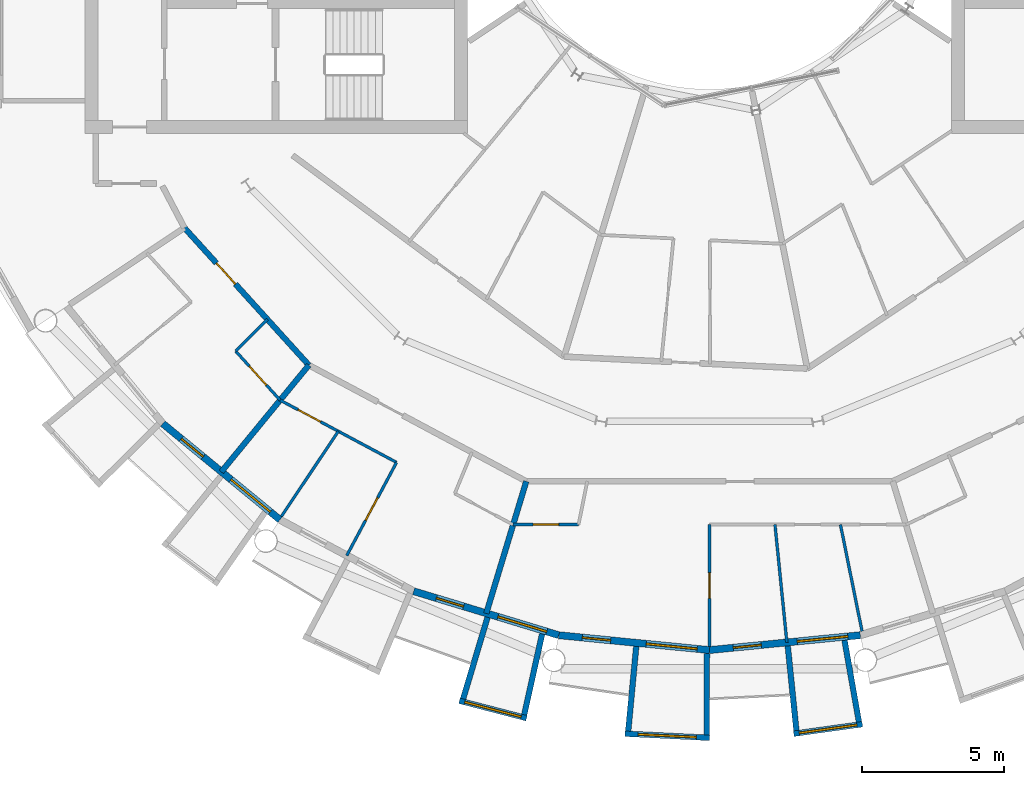
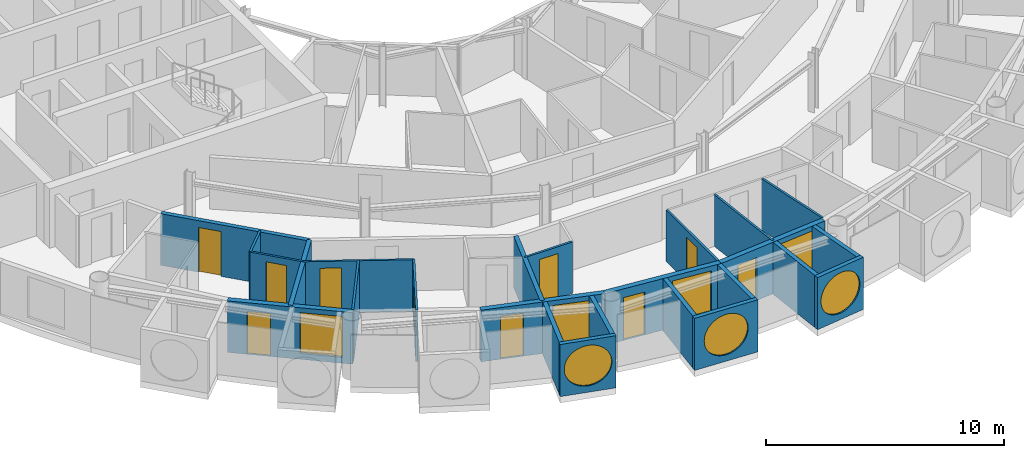
# One storey, part 15 of 28: 25 walls, 10 doors, 7 windows, 17 openings.
"""IFC4 building model written with IfcOpenShell, lengths in metres."""

from ifc_helpers import new_model, si_unit, direction, frame, frame_2d, origin, place, context, subcontext, project, spatial, rectangle, circle, extrude, material, layer, layer_set, type_object, element, fill, save


model = new_model("IFC4")

# Units and contexts
model_context = context("Model", 3, precision=1e-05, world=origin(), true_north=direction((0.0, 1.0)))
body_context = subcontext(model_context, "Body", "Model", "MODEL_VIEW")
ifc_project = project(units=[si_unit("LENGTHUNIT", "METRE"), si_unit("AREAUNIT", "SQUARE_METRE"), si_unit("VOLUMEUNIT", "CUBIC_METRE"), si_unit("PLANEANGLEUNIT", "RADIAN"), si_unit("MASSUNIT", "GRAM", prefix="KILO")], contexts=[model_context])

# Site, building, storey
site_placement = place(None, origin())
site = spatial("IfcSite", under=ifc_project, at=site_placement, CompositionType="ELEMENT")
building_placement = place(site_placement, origin())
building = spatial("IfcBuilding", under=site, at=building_placement, Name="Maasbend Ring Residences", CompositionType="ELEMENT")
storey_placement = place(building_placement, frame((0.0, 0.0, 218.800048828125)))
storey = spatial("IfcBuildingStorey", under=building, at=storey_placement, Name="L63", CompositionType="ELEMENT", Elevation=218.800048828125)

# Wall, opening, door
ifc_material_1 = material(Name="Concrete C30/37", Category="concrete")
ifc_layer_1 = layer(ifc_material_1, 0.199951171875)
ifc_layer_set_1 = layer_set([ifc_layer_1], Name="Concrete C30/37")
wall_type_1 = type_object("IfcWallType", Name="CORRIDOR WALL 200 CONCRETE", PredefinedType="PARTITIONING", material=ifc_layer_set_1)
wall_1_placement = place(storey_placement, frame((-18.5419921875, -12.388916015625, 0.0), z_axis=(0.0, 0.0, 1.0), x_axis=(0.671561669125, -0.740948665268, 0.0)))
wall_1 = element("IfcWall", 1, at=wall_1_placement, inside=storey, type_object=wall_type_1, Name="U-L63-w013", PredefinedType="PARTITIONING", context=body_context, shape_type="SweptSolid", body=[
    extrude(rectangle(XDim=6.54443359375, YDim=0.199951171875, at=frame_2d((3.272216796875, 0.0))), origin(), (0.0, 0.0, 1.0), 2.64990234375),
])
opening_1_placement = place(wall_1_placement, frame((1.681884765625, 0.0, 0.0)))
opening_1 = element("IfcOpeningElement", 2, at=opening_1_placement, cuts=wall_1, Name="Opening D-6328", PredefinedType="OPENING", context=body_context, shape_type="SweptSolid", body=[
    extrude(rectangle(XDim=1.0, YDim=2.300048828125, at=frame_2d((0.5, 1.14990234375))), frame((0.0, 0.10986328125, 0.0), z_axis=(0.0, -1.0, 0.0), x_axis=(1.0, 0.0, 0.0)), (0.0, 0.0, 1.0), 0.219970703125),
])
ifc_material_2 = material(Name="Timber, fire-rated, painted", Category="wood")
door_type_1 = type_object("IfcDoorType", Name="FLAT ENTRANCE DOOR 1000 X 2300 FIRE-RATED", OperationType="NOTDEFINED", PredefinedType="DOOR", material=ifc_material_2)
door_1_placement = place(opening_1_placement, origin())
door_1 = element("IfcDoor", 3, at=door_1_placement, inside=storey, type_object=door_type_1, Name="D-6328", OperationType="SINGLE_SWING_LEFT", OverallHeight=2.300048828125, OverallWidth=1.0, PredefinedType="DOOR", context=body_context, shape_type="SweptSolid", body=[
    extrude(rectangle(XDim=1.0, YDim=2.300048828125, at=frame_2d((0.5, 1.14990234375))), frame((0.0, 0.02490234375, 0.0), z_axis=(0.0, -1.0, 0.0), x_axis=(1.0, 0.0, 0.0)), (0.0, 0.0, 1.0), 0.050048828125),
])
fill(opening_1, door_1)

# Wall, opening, window
ifc_material_3 = material(Name="Pale anodised aluminium panel", Category="aluminium")
ifc_layer_2 = layer(ifc_material_3, 0.199951171875)
ifc_layer_set_2 = layer_set([ifc_layer_2], Name="EW-BOX")
wall_type_2 = type_object("IfcWallType", Name="EW-BOX", PredefinedType="SOLIDWALL", material=ifc_layer_set_2)
wall_2_placement = place(storey_placement, frame((-8.8291015625, -29.090087890625, -0.030029296875), z_axis=(0.0, 0.0, 1.0), x_axis=(0.96789536872, -0.251353446784, 0.0)))
wall_2 = element("IfcWall", 4, at=wall_2_placement, inside=storey, type_object=wall_type_2, Name="Box front S08", PredefinedType="SOLIDWALL", context=body_context, shape_type="SweptSolid", body=[
    extrude(rectangle(XDim=2.44677734375, YDim=0.199951171875, at=frame_2d((1.223388671875, 0.0))), origin(), (0.0, 0.0, 1.0), 2.679931640625),
])
opening_2_placement = place(wall_2_placement, frame((0.182861328125, 0.0, 0.330078125)))
opening_2 = element("IfcOpeningElement", 5, at=opening_2_placement, cuts=wall_2, Name="Opening W-RD", PredefinedType="OPENING", context=body_context, shape_type="SweptSolid", body=[
    extrude(circle(Radius=1.0400390625, at=frame_2d((1.0400390625, 1.0400390625))), frame((0.0, 0.10986328125, 0.0), z_axis=(0.0, -1.0, 0.0), x_axis=(1.0, 0.0, 0.0)), (0.0, 0.0, 1.0), 0.219970703125),
])
ifc_material_4 = material(Name="Aluminium and clear glass", Category="aluminium")
window_type_1 = type_object("IfcWindowType", Name="W-RD", PartitioningType="SINGLE_PANEL", PredefinedType="WINDOW", material=ifc_material_4)
window_1_placement = place(opening_2_placement, origin())
window_1 = element("IfcWindow", 6, at=window_1_placement, inside=storey, type_object=window_type_1, Name="Round window S08", OverallHeight=2.080078125, OverallWidth=2.080078125, PartitioningType="SINGLE_PANEL", PredefinedType="WINDOW", context=body_context, shape_type="SweptSolid", body=[
    extrude(circle(Radius=1.0400390625, at=frame_2d((1.0400390625, 1.0400390625))), frame((0.0, 0.030029296875, 0.0), z_axis=(0.0, -1.0, 0.0), x_axis=(1.0, 0.0, 0.0)), (0.0, 0.0, 1.0), 0.06005859375),
])
fill(opening_2, window_1)

# Walls
wall_3_placement = place(storey_placement, frame((-7.8369140625, -26.14404296875, -0.030029296875), z_axis=(0.0, 0.0, 1.0), x_axis=(-0.287064767992, -0.957911174889, 0.0)))
element("IfcWall", 7, at=wall_3_placement, inside=storey, type_object=wall_type_2, Name="Box side wall S08 left", PredefinedType="SOLIDWALL", context=body_context, shape_type="SweptSolid", body=[
    extrude(rectangle(XDim=3.00634765625, YDim=0.199951171875, at=frame_2d((1.503173828125, 0.0))), origin(), (0.0, 0.0, 1.0), 2.679931640625),
])
wall_4_placement = place(storey_placement, frame((-5.908935546875, -26.72900390625, -0.030029296875), z_axis=(0.0, 0.0, 1.0), x_axis=(-0.216409053917, -0.976302781612, 0.0)))
element("IfcWall", 8, at=wall_4_placement, inside=storey, type_object=wall_type_2, Name="Box side wall S08 right", PredefinedType="SOLIDWALL", context=body_context, shape_type="SweptSolid", body=[
    extrude(rectangle(XDim=2.92529296875, YDim=0.199951171875, at=frame_2d((1.462646484375, 0.0))), origin(), (0.0, 0.0, 1.0), 2.679931640625),
])

# Wall, opening, window
wall_5_placement = place(storey_placement, frame((-2.985107421875, -30.2529296875, -0.030029296875), z_axis=(0.0, 0.0, 1.0), x_axis=(0.998794083011, -0.049095618353, 0.0)))
wall_5 = element("IfcWall", 9, at=wall_5_placement, inside=storey, type_object=wall_type_2, Name="Box front S10", PredefinedType="SOLIDWALL", context=body_context, shape_type="SweptSolid", body=[
    extrude(rectangle(XDim=2.99365234375, YDim=0.199951171875, at=frame_2d((1.496826171875, 0.0))), origin(), (0.0, 0.0, 1.0), 2.679931640625),
])
opening_3_placement = place(wall_5_placement, frame((0.45654296875, 0.0, 0.330078125)))
opening_3 = element("IfcOpeningElement", 10, at=opening_3_placement, cuts=wall_5, Name="Opening W-RD", PredefinedType="OPENING", context=body_context, shape_type="SweptSolid", body=[
    extrude(circle(Radius=1.0400390625, at=frame_2d((1.0400390625, 1.0400390625))), frame((0.0, 0.10986328125, 0.0), z_axis=(0.0, -1.0, 0.0), x_axis=(1.0, 0.0, 0.0)), (0.0, 0.0, 1.0), 0.219970703125),
])
window_2_placement = place(opening_3_placement, origin())
window_2 = element("IfcWindow", 11, at=window_2_placement, inside=storey, type_object=window_type_1, Name="Round window S10", OverallHeight=2.080078125, OverallWidth=2.080078125, PartitioningType="SINGLE_PANEL", PredefinedType="WINDOW", context=body_context, shape_type="SweptSolid", body=[
    extrude(circle(Radius=1.0400390625, at=frame_2d((1.0400390625, 1.0400390625))), frame((0.0, 0.030029296875, 0.0), z_axis=(0.0, -1.0, 0.0), x_axis=(1.0, 0.0, 0.0)), (0.0, 0.0, 1.0), 0.06005859375),
])
fill(opening_3, window_2)

# Walls
wall_6_placement = place(storey_placement, frame((-2.5859375, -27.1708984375, -0.030029296875), z_axis=(0.0, 0.0, 1.0), x_axis=(-0.094548432284, -0.995520262954, 0.0)))
element("IfcWall", 12, at=wall_6_placement, inside=storey, type_object=wall_type_2, Name="Box side wall S10 left", PredefinedType="SOLIDWALL", context=body_context, shape_type="SweptSolid", body=[
    extrude(rectangle(XDim=3.005615234375, YDim=0.199951171875, at=frame_2d((1.5029296875, 0.0))), origin(), (0.0, 0.0, 1.0), 2.679931640625),
])
wall_7_placement = place(storey_placement, frame((-0.090087890625, -27.4169921875, -0.030029296875), z_axis=(0.0, 0.0, 1.0), x_axis=(-0.00347308367, -0.999993968827, 0.0)))
element("IfcWall", 13, at=wall_7_placement, inside=storey, type_object=wall_type_2, Name="Box side wall S10 right", PredefinedType="SOLIDWALL", context=body_context, shape_type="SweptSolid", body=[
    extrude(rectangle(XDim=2.882080078125, YDim=0.199951171875, at=frame_2d((1.44091796875, 0.0))), origin(), (0.0, 0.0, 1.0), 2.679931640625),
])

# Wall, opening, window
wall_8_placement = place(storey_placement, frame((2.97607421875, -30.25390625, -0.030029296875), z_axis=(0.0, 0.0, 1.0), x_axis=(0.990462016113, 0.137786046596, 0.0)))
wall_8 = element("IfcWall", 14, at=wall_8_placement, inside=storey, type_object=wall_type_2, Name="Box front S12", PredefinedType="SOLIDWALL", context=body_context, shape_type="SweptSolid", body=[
    extrude(rectangle(XDim=2.4453125, YDim=0.199951171875, at=frame_2d((1.22265625, 0.0))), origin(), (0.0, 0.0, 1.0), 2.679931640625),
])
opening_4_placement = place(wall_8_placement, frame((0.182861328125, 0.0, 0.330078125)))
opening_4 = element("IfcOpeningElement", 15, at=opening_4_placement, cuts=wall_8, Name="Opening W-RD", PredefinedType="OPENING", context=body_context, shape_type="SweptSolid", body=[
    extrude(circle(Radius=1.0400390625, at=frame_2d((1.0400390625, 1.0400390625))), frame((0.0, 0.10986328125, 0.0), z_axis=(0.0, -1.0, 0.0), x_axis=(1.0, 0.0, 0.0)), (0.0, 0.0, 1.0), 0.219970703125),
])
window_3_placement = place(opening_4_placement, origin())
window_3 = element("IfcWindow", 16, at=window_3_placement, inside=storey, type_object=window_type_1, Name="Round window S12", OverallHeight=2.080078125, OverallWidth=2.080078125, PartitioningType="SINGLE_PANEL", PredefinedType="WINDOW", context=body_context, shape_type="SweptSolid", body=[
    extrude(circle(Radius=1.0400390625, at=frame_2d((1.0400390625, 1.0400390625))), frame((0.0, 0.030029296875, 0.0), z_axis=(0.0, -1.0, 0.0), x_axis=(1.0, 0.0, 0.0)), (0.0, 0.0, 1.0), 0.06005859375),
])
fill(opening_4, window_3)

# Walls
wall_9_placement = place(storey_placement, frame((2.763916015625, -27.153076171875, -0.030029296875), z_axis=(0.0, 0.0, 1.0), x_axis=(0.101505487237, -0.994834979311, 0.0)))
element("IfcWall", 17, at=wall_9_placement, inside=storey, type_object=wall_type_2, Name="Box side wall S12 left", PredefinedType="SOLIDWALL", context=body_context, shape_type="SweptSolid", body=[
    extrude(rectangle(XDim=3.006591796875, YDim=0.199951171875, at=frame_2d((1.50341796875, 0.0))), origin(), (0.0, 0.0, 1.0), 2.679931640625),
])
wall_10_placement = place(storey_placement, frame((4.76904296875, -26.9560546875, -0.030029296875), z_axis=(0.0, 0.0, 1.0), x_axis=(0.174056778901, -0.984735618183, 0.0)))
element("IfcWall", 18, at=wall_10_placement, inside=storey, type_object=wall_type_2, Name="Box side wall S12 right", PredefinedType="SOLIDWALL", context=body_context, shape_type="SweptSolid", body=[
    extrude(rectangle(XDim=2.924560546875, YDim=0.199951171875, at=frame_2d((1.46240234375, 0.0))), origin(), (0.0, 0.0, 1.0), 2.679931640625),
])

# Wall, openings, door, window
ifc_material_5 = material(Name="Aluminium clad insulated panel", Category="aluminium")
ifc_layer_3 = layer(ifc_material_5, 0.25)
ifc_layer_set_3 = layer_set([ifc_layer_3], Name="EW-GL")
wall_type_3 = type_object("IfcWallType", Name="EW-GL", PredefinedType="SOLIDWALL", material=ifc_layer_set_3)
wall_11_placement = place(storey_placement, frame((-19.303955078125, -19.303955078125, 0.0), z_axis=(0.0, 0.0, 1.0), x_axis=(0.773019449054, -0.634382322723, 0.0)))
wall_11 = element("IfcWall", 19, at=wall_11_placement, inside=storey, type_object=wall_type_3, Name="External wall S02", PredefinedType="SOLIDWALL", context=body_context, shape_type="SweptSolid", body=[
    extrude(rectangle(XDim=5.351806640625, YDim=0.25, at=frame_2d((2.67578125, 0.0))), origin(), (0.0, 0.0, 1.0), 2.64990234375),
])
opening_5_placement = place(wall_11_placement, frame((0.841064453125, 0.0, 0.0)))
opening_5 = element("IfcOpeningElement", 20, at=opening_5_placement, cuts=wall_11, Name="Opening D-LG", PredefinedType="OPENING", context=body_context, shape_type="SweptSolid", body=[
    extrude(rectangle(XDim=1.0, YDim=2.199951171875, at=frame_2d((0.5, 1.10009765625))), frame((0.0, 0.135009765625, 0.0), z_axis=(0.0, -1.0, 0.0), x_axis=(1.0, 0.0, 0.0)), (0.0, 0.0, 1.0), 0.27001953125),
])
opening_6_placement = place(wall_11_placement, frame((3.110595703125, 0.0, 0.300048828125)))
opening_6 = element("IfcOpeningElement", 21, at=opening_6_placement, cuts=wall_11, Name="Opening W-BX", PredefinedType="OPENING", context=body_context, shape_type="SweptSolid", body=[
    extrude(rectangle(XDim=1.800048828125, YDim=2.10009765625, at=frame_2d((0.89990234375, 1.050048828125))), frame((0.0, 0.135009765625, 0.0), z_axis=(0.0, -1.0, 0.0), x_axis=(1.0, 0.0, 0.0)), (0.0, 0.0, 1.0), 0.27001953125),
])
ifc_material_6 = material(Name="Aluminium and clear glass", Category="aluminium")
door_type_2 = type_object("IfcDoorType", Name="D-LG", OperationType="SINGLE_SWING_LEFT", PredefinedType="DOOR", material=ifc_material_6)
door_2_placement = place(opening_5_placement, origin())
door_2 = element("IfcDoor", 22, at=door_2_placement, inside=storey, type_object=door_type_2, Name="Loggia door S03", OperationType="SINGLE_SWING_LEFT", OverallHeight=2.199951171875, OverallWidth=1.0, PredefinedType="DOOR", context=body_context, shape_type="SweptSolid", body=[
    extrude(rectangle(XDim=1.0, YDim=2.199951171875, at=frame_2d((0.5, 1.10009765625))), frame((0.0, 0.02490234375, 0.0), z_axis=(0.0, -1.0, 0.0), x_axis=(1.0, 0.0, 0.0)), (0.0, 0.0, 1.0), 0.050048828125),
])
fill(opening_5, door_2)
ifc_material_7 = material(Name="Aluminium and clear glass", Category="aluminium")
window_type_2 = type_object("IfcWindowType", Name="W-BX", PartitioningType="DOUBLE_PANEL_VERTICAL", PredefinedType="WINDOW", material=ifc_material_7)
window_4_placement = place(opening_6_placement, origin())
window_4 = element("IfcWindow", 23, at=window_4_placement, inside=storey, type_object=window_type_2, Name="Window S04 room to box", OverallHeight=2.10009765625, OverallWidth=1.800048828125, PartitioningType="SINGLE_PANEL", PredefinedType="WINDOW", context=body_context, shape_type="SweptSolid", body=[
    extrude(rectangle(XDim=1.800048828125, YDim=2.10009765625, at=frame_2d((0.89990234375, 1.050048828125))), frame((0.0, 0.030029296875, 0.0), z_axis=(0.0, -1.0, 0.0), x_axis=(1.0, 0.0, 0.0)), (0.0, 0.0, 1.0), 0.06005859375),
])
fill(opening_6, window_4)

wall_12_placement = place(storey_placement, frame((-10.447021484375, -25.221923828125, 0.0), z_axis=(0.0, 0.0, 1.0), x_axis=(0.956965678721, -0.290201119486, 0.0)))
wall_12 = element("IfcWall", 24, at=wall_12_placement, inside=storey, type_object=wall_type_3, Name="External wall S04", PredefinedType="SOLIDWALL", context=body_context, shape_type="SweptSolid", body=[
    extrude(rectangle(XDim=5.351318359375, YDim=0.25, at=frame_2d((2.67578125, 0.0))), origin(), (0.0, 0.0, 1.0), 2.64990234375),
])
opening_7_placement = place(wall_12_placement, frame((0.841064453125, 0.0, 0.0)))
opening_7 = element("IfcOpeningElement", 25, at=opening_7_placement, cuts=wall_12, Name="Opening D-LG", PredefinedType="OPENING", context=body_context, shape_type="SweptSolid", body=[
    extrude(rectangle(XDim=1.0, YDim=2.199951171875, at=frame_2d((0.5, 1.10009765625))), frame((0.0, 0.135009765625, 0.0), z_axis=(0.0, -1.0, 0.0), x_axis=(1.0, 0.0, 0.0)), (0.0, 0.0, 1.0), 0.27001953125),
])
opening_8_placement = place(wall_12_placement, frame((3.110595703125, 0.0, 0.300048828125)))
opening_8 = element("IfcOpeningElement", 26, at=opening_8_placement, cuts=wall_12, Name="Opening W-BX", PredefinedType="OPENING", context=body_context, shape_type="SweptSolid", body=[
    extrude(rectangle(XDim=1.800048828125, YDim=2.10009765625, at=frame_2d((0.89990234375, 1.050048828125))), frame((0.0, 0.135009765625, 0.0), z_axis=(0.0, -1.0, 0.0), x_axis=(1.0, 0.0, 0.0)), (0.0, 0.0, 1.0), 0.27001953125),
])
door_3_placement = place(opening_7_placement, origin())
door_3 = element("IfcDoor", 27, at=door_3_placement, inside=storey, type_object=door_type_2, Name="Loggia door S07", OperationType="SINGLE_SWING_LEFT", OverallHeight=2.199951171875, OverallWidth=1.0, PredefinedType="DOOR", context=body_context, shape_type="SweptSolid", body=[
    extrude(rectangle(XDim=1.0, YDim=2.199951171875, at=frame_2d((0.5, 1.10009765625))), frame((0.0, 0.02490234375, 0.0), z_axis=(0.0, -1.0, 0.0), x_axis=(1.0, 0.0, 0.0)), (0.0, 0.0, 1.0), 0.050048828125),
])
fill(opening_7, door_3)
window_5_placement = place(opening_8_placement, origin())
window_5 = element("IfcWindow", 28, at=window_5_placement, inside=storey, type_object=window_type_2, Name="Window S08 room to box", OverallHeight=2.10009765625, OverallWidth=1.800048828125, PartitioningType="SINGLE_PANEL", PredefinedType="WINDOW", context=body_context, shape_type="SweptSolid", body=[
    extrude(rectangle(XDim=1.800048828125, YDim=2.10009765625, at=frame_2d((0.89990234375, 1.050048828125))), frame((0.0, 0.030029296875, 0.0), z_axis=(0.0, -1.0, 0.0), x_axis=(1.0, 0.0, 0.0)), (0.0, 0.0, 1.0), 0.06005859375),
])
fill(opening_8, window_5)

wall_13_placement = place(storey_placement, frame((-5.325927734375, -26.77490234375, 0.0), z_axis=(0.0, 0.0, 1.0), x_axis=(0.995173996315, -0.098126026407, 0.0)))
wall_13 = element("IfcWall", 29, at=wall_13_placement, inside=storey, type_object=wall_type_3, Name="External wall S05", PredefinedType="SOLIDWALL", context=body_context, shape_type="SweptSolid", body=[
    extrude(rectangle(XDim=5.351806640625, YDim=0.25, at=frame_2d((2.67578125, 0.0))), origin(), (0.0, 0.0, 1.0), 2.64990234375),
])
opening_9_placement = place(wall_13_placement, frame((0.841064453125, 0.0, 0.0)))
opening_9 = element("IfcOpeningElement", 30, at=opening_9_placement, cuts=wall_13, Name="Opening D-LG", PredefinedType="OPENING", context=body_context, shape_type="SweptSolid", body=[
    extrude(rectangle(XDim=1.0, YDim=2.199951171875, at=frame_2d((0.5, 1.10009765625))), frame((0.0, 0.135009765625, 0.0), z_axis=(0.0, -1.0, 0.0), x_axis=(1.0, 0.0, 0.0)), (0.0, 0.0, 1.0), 0.27001953125),
])
opening_10_placement = place(wall_13_placement, frame((3.110595703125, 0.0, 0.300048828125)))
opening_10 = element("IfcOpeningElement", 31, at=opening_10_placement, cuts=wall_13, Name="Opening W-BX", PredefinedType="OPENING", context=body_context, shape_type="SweptSolid", body=[
    extrude(rectangle(XDim=1.800048828125, YDim=2.10009765625, at=frame_2d((0.89990234375, 1.050048828125))), frame((0.0, 0.135009765625, 0.0), z_axis=(0.0, -1.0, 0.0), x_axis=(1.0, 0.0, 0.0)), (0.0, 0.0, 1.0), 0.27001953125),
])
door_4_placement = place(opening_9_placement, origin())
door_4 = element("IfcDoor", 32, at=door_4_placement, inside=storey, type_object=door_type_2, Name="Loggia door S09", OperationType="SINGLE_SWING_LEFT", OverallHeight=2.199951171875, OverallWidth=1.0, PredefinedType="DOOR", context=body_context, shape_type="SweptSolid", body=[
    extrude(rectangle(XDim=1.0, YDim=2.199951171875, at=frame_2d((0.5, 1.10009765625))), frame((0.0, 0.02490234375, 0.0), z_axis=(0.0, -1.0, 0.0), x_axis=(1.0, 0.0, 0.0)), (0.0, 0.0, 1.0), 0.050048828125),
])
fill(opening_9, door_4)
window_6_placement = place(opening_10_placement, origin())
window_6 = element("IfcWindow", 33, at=window_6_placement, inside=storey, type_object=window_type_2, Name="Window S10 room to box", OverallHeight=2.10009765625, OverallWidth=1.800048828125, PartitioningType="SINGLE_PANEL", PredefinedType="WINDOW", context=body_context, shape_type="SweptSolid", body=[
    extrude(rectangle(XDim=1.800048828125, YDim=2.10009765625, at=frame_2d((0.89990234375, 1.050048828125))), frame((0.0, 0.030029296875, 0.0), z_axis=(0.0, -1.0, 0.0), x_axis=(1.0, 0.0, 0.0)), (0.0, 0.0, 1.0), 0.06005859375),
])
fill(opening_10, window_6)

wall_14_placement = place(storey_placement, frame((0.0, -27.300048828125, 0.0), z_axis=(0.0, 0.0, 1.0), x_axis=(0.995173996315, 0.098126026407, 0.0)))
wall_14 = element("IfcWall", 34, at=wall_14_placement, inside=storey, type_object=wall_type_3, Name="External wall S06", PredefinedType="SOLIDWALL", context=body_context, shape_type="SweptSolid", body=[
    extrude(rectangle(XDim=5.351806640625, YDim=0.25, at=frame_2d((2.67578125, 0.0))), origin(), (0.0, 0.0, 1.0), 2.64990234375),
])
opening_11_placement = place(wall_14_placement, frame((0.841064453125, 0.0, 0.0)))
opening_11 = element("IfcOpeningElement", 35, at=opening_11_placement, cuts=wall_14, Name="Opening D-LG", PredefinedType="OPENING", context=body_context, shape_type="SweptSolid", body=[
    extrude(rectangle(XDim=1.0, YDim=2.199951171875, at=frame_2d((0.5, 1.10009765625))), frame((0.0, 0.135009765625, 0.0), z_axis=(0.0, -1.0, 0.0), x_axis=(1.0, 0.0, 0.0)), (0.0, 0.0, 1.0), 0.27001953125),
])
opening_12_placement = place(wall_14_placement, frame((3.110595703125, 0.0, 0.300048828125)))
opening_12 = element("IfcOpeningElement", 36, at=opening_12_placement, cuts=wall_14, Name="Opening W-BX", PredefinedType="OPENING", context=body_context, shape_type="SweptSolid", body=[
    extrude(rectangle(XDim=1.800048828125, YDim=2.10009765625, at=frame_2d((0.89990234375, 1.050048828125))), frame((0.0, 0.135009765625, 0.0), z_axis=(0.0, -1.0, 0.0), x_axis=(1.0, 0.0, 0.0)), (0.0, 0.0, 1.0), 0.27001953125),
])
door_5_placement = place(opening_11_placement, origin())
door_5 = element("IfcDoor", 37, at=door_5_placement, inside=storey, type_object=door_type_2, Name="Loggia door S11", OperationType="SINGLE_SWING_LEFT", OverallHeight=2.199951171875, OverallWidth=1.0, PredefinedType="DOOR", context=body_context, shape_type="SweptSolid", body=[
    extrude(rectangle(XDim=1.0, YDim=2.199951171875, at=frame_2d((0.5, 1.10009765625))), frame((0.0, 0.02490234375, 0.0), z_axis=(0.0, -1.0, 0.0), x_axis=(1.0, 0.0, 0.0)), (0.0, 0.0, 1.0), 0.050048828125),
])
fill(opening_11, door_5)
window_7_placement = place(opening_12_placement, origin())
window_7 = element("IfcWindow", 38, at=window_7_placement, inside=storey, type_object=window_type_2, Name="Window S12 room to box", OverallHeight=2.10009765625, OverallWidth=1.800048828125, PartitioningType="SINGLE_PANEL", PredefinedType="WINDOW", context=body_context, shape_type="SweptSolid", body=[
    extrude(rectangle(XDim=1.800048828125, YDim=2.10009765625, at=frame_2d((0.89990234375, 1.050048828125))), frame((0.0, 0.030029296875, 0.0), z_axis=(0.0, -1.0, 0.0), x_axis=(1.0, 0.0, 0.0)), (0.0, 0.0, 1.0), 0.06005859375),
])
fill(opening_12, window_7)

# Wall, opening, door
ifc_material_8 = material(Name="Gypsum board on steel studs", Category="steel")
ifc_layer_4 = layer(ifc_material_8, 0.10009765625)
ifc_layer_set_4 = layer_set([ifc_layer_4], Name="PARTITION 100 GYPSUM")
wall_type_4 = type_object("IfcWallType", Name="PARTITION 100 GYPSUM", PredefinedType="PARTITIONING", material=ifc_layer_set_4)
wall_15_placement = place(storey_placement, frame((-16.73193359375, -16.742919921875, 0.0), z_axis=(0.0, 0.0, 1.0), x_axis=(0.671528384412, -0.740978831634, 0.0)))
wall_15 = element("IfcWall", 39, at=wall_15_placement, inside=storey, type_object=wall_type_4, Name="U-L63-w002", PredefinedType="PARTITIONING", context=body_context, shape_type="SweptSolid", body=[
    extrude(rectangle(XDim=2.337646484375, YDim=0.10009765625, at=frame_2d((1.1689453125, 0.0))), origin(), (0.0, 0.0, 1.0), 2.64990234375),
])
opening_13_placement = place(wall_15_placement, frame((0.718994140625, 0.0, 0.0)))
opening_13 = element("IfcOpeningElement", 40, at=opening_13_placement, cuts=wall_15, Name="Opening D-6329", PredefinedType="OPENING", context=body_context, shape_type="SweptSolid", body=[
    extrude(rectangle(XDim=0.89990234375, YDim=2.300048828125, at=frame_2d((0.449951171875, 1.14990234375))), frame((0.0, 0.06005859375, 0.0), z_axis=(0.0, -1.0, 0.0), x_axis=(1.0, 0.0, 0.0)), (0.0, 0.0, 1.0), 0.1201171875),
])
ifc_material_9 = material(Name="Timber, painted", Category="wood")
door_type_3 = type_object("IfcDoorType", Name="INTERNAL DOOR 900 X 2300", OperationType="NOTDEFINED", PredefinedType="DOOR", material=ifc_material_9)
door_6_placement = place(opening_13_placement, origin())
door_6 = element("IfcDoor", 41, at=door_6_placement, inside=storey, type_object=door_type_3, Name="D-6329", OperationType="SINGLE_SWING_LEFT", OverallHeight=2.300048828125, OverallWidth=0.89990234375, PredefinedType="DOOR", context=body_context, shape_type="SweptSolid", body=[
    extrude(rectangle(XDim=0.89990234375, YDim=2.300048828125, at=frame_2d((0.449951171875, 1.14990234375))), frame((0.0, 0.02490234375, 0.0), z_axis=(0.0, -1.0, 0.0), x_axis=(1.0, 0.0, 0.0)), (0.0, 0.0, 1.0), 0.050048828125),
])
fill(opening_13, door_6)

wall_16_placement = place(storey_placement, frame((-15.162109375, -18.47509765625, 0.0), z_axis=(0.0, 0.0, 1.0), x_axis=(0.881916280728, -0.471406060405, 0.0)))
wall_16 = element("IfcWall", 42, at=wall_16_placement, inside=storey, type_object=wall_type_4, Name="U-L63-w005", PredefinedType="PARTITIONING", context=body_context, shape_type="SweptSolid", body=[
    extrude(rectangle(XDim=4.66259765625, YDim=0.10009765625, at=frame_2d((2.331298828125, 0.0))), origin(), (0.0, 0.0, 1.0), 2.64990234375),
])
opening_14_placement = place(wall_16_placement, frame((0.716064453125, 0.0, 0.0)))
opening_14 = element("IfcOpeningElement", 43, at=opening_14_placement, cuts=wall_16, Name="Opening D-6334", PredefinedType="OPENING", context=body_context, shape_type="SweptSolid", body=[
    extrude(rectangle(XDim=0.89990234375, YDim=2.300048828125, at=frame_2d((0.449951171875, 1.14990234375))), frame((0.0, 0.06005859375, 0.0), z_axis=(0.0, -1.0, 0.0), x_axis=(1.0, 0.0, 0.0)), (0.0, 0.0, 1.0), 0.1201171875),
])
door_7_placement = place(opening_14_placement, origin())
door_7 = element("IfcDoor", 44, at=door_7_placement, inside=storey, type_object=door_type_3, Name="D-6334", OperationType="SINGLE_SWING_LEFT", OverallHeight=2.300048828125, OverallWidth=0.89990234375, PredefinedType="DOOR", context=body_context, shape_type="SweptSolid", body=[
    extrude(rectangle(XDim=0.89990234375, YDim=2.300048828125, at=frame_2d((0.449951171875, 1.14990234375))), frame((0.0, 0.02490234375, 0.0), z_axis=(0.0, -1.0, 0.0), x_axis=(1.0, 0.0, 0.0)), (0.0, 0.0, 1.0), 0.050048828125),
])
fill(opening_14, door_7)

wall_17_placement = place(storey_placement, frame((-6.93798828125, -22.87109375, 0.0), z_axis=(0.0, 0.0, 1.0), x_axis=(1.0, 0.0, 0.0)))
wall_17 = element("IfcWall", 45, at=wall_17_placement, inside=storey, type_object=wall_type_4, Name="U-L63-w009", PredefinedType="PARTITIONING", context=body_context, shape_type="SweptSolid", body=[
    extrude(rectangle(XDim=2.31298828125, YDim=0.10009765625, at=frame_2d((1.156494140625, 0.0))), origin(), (0.0, 0.0, 1.0), 2.64990234375),
])
opening_15_placement = place(wall_17_placement, frame((0.70703125, 0.0, 0.0)))
opening_15 = element("IfcOpeningElement", 46, at=opening_15_placement, cuts=wall_17, Name="Opening D-6336", PredefinedType="OPENING", context=body_context, shape_type="SweptSolid", body=[
    extrude(rectangle(XDim=0.89990234375, YDim=2.300048828125, at=frame_2d((0.449951171875, 1.14990234375))), frame((0.0, 0.06005859375, 0.0), z_axis=(0.0, -1.0, 0.0), x_axis=(1.0, 0.0, 0.0)), (0.0, 0.0, 1.0), 0.1201171875),
])
door_8_placement = place(opening_15_placement, origin())
door_8 = element("IfcDoor", 47, at=door_8_placement, inside=storey, type_object=door_type_3, Name="D-6336", OperationType="SINGLE_SWING_RIGHT", OverallHeight=2.300048828125, OverallWidth=0.89990234375, PredefinedType="DOOR", context=body_context, shape_type="SweptSolid", body=[
    extrude(rectangle(XDim=0.89990234375, YDim=2.300048828125, at=frame_2d((0.449951171875, 1.14990234375))), frame((0.0, 0.02490234375, 0.0), z_axis=(0.0, -1.0, 0.0), x_axis=(1.0, 0.0, 0.0)), (0.0, 0.0, 1.0), 0.050048828125),
])
fill(opening_15, door_8)

# Walls
wall_18_placement = place(storey_placement, frame((-16.73193359375, -16.742919921875, 0.0), z_axis=(0.0, 0.0, 1.0), x_axis=(0.70679853939, 0.707414888673, 0.0)))
element("IfcWall", 48, at=wall_18_placement, inside=storey, type_object=wall_type_4, Name="U-L63-w040", PredefinedType="PARTITIONING", context=body_context, shape_type="SweptSolid", body=[
    extrude(rectangle(XDim=1.58447265625, YDim=0.10009765625, at=frame_2d((0.792236328125, 0.0))), origin(), (0.0, 0.0, 1.0), 2.64990234375),
])
wall_19_placement = place(storey_placement, frame((-15.118896484375, -22.5810546875, 0.0), z_axis=(0.0, 0.0, 1.0), x_axis=(0.556271723484, 0.831000463088, 0.0)))
element("IfcWall", 49, at=wall_19_placement, inside=storey, type_object=wall_type_4, Name="U-L63-w041", PredefinedType="PARTITIONING", context=body_context, shape_type="SweptSolid", body=[
    extrude(rectangle(XDim=3.61865234375, YDim=0.10009765625, at=frame_2d((1.809326171875, 0.0))), origin(), (0.0, 0.0, 1.0), 2.64990234375),
])

# Wall, opening, door
wall_20_placement = place(storey_placement, frame((-12.81005859375, -23.966064453125, 0.0), z_axis=(0.0, 0.0, 1.0), x_axis=(0.471372010014, 0.881934480659, 0.0)))
wall_20 = element("IfcWall", 50, at=wall_20_placement, inside=storey, type_object=wall_type_4, Name="U-L63-w043", PredefinedType="PARTITIONING", context=body_context, shape_type="SweptSolid", body=[
    extrude(rectangle(XDim=3.73388671875, YDim=0.10009765625, at=frame_2d((1.866943359375, 0.0))), origin(), (0.0, 0.0, 1.0), 2.64990234375),
])
opening_16_placement = place(wall_20_placement, frame((1.4169921875, 0.0, 0.0)))
opening_16 = element("IfcOpeningElement", 51, at=opening_16_placement, cuts=wall_20, Name="Opening D-6333", PredefinedType="OPENING", context=body_context, shape_type="SweptSolid", body=[
    extrude(rectangle(XDim=0.89990234375, YDim=2.300048828125, at=frame_2d((0.449951171875, 1.14990234375))), frame((0.0, 0.06005859375, 0.0), z_axis=(0.0, -1.0, 0.0), x_axis=(1.0, 0.0, 0.0)), (0.0, 0.0, 1.0), 0.1201171875),
])
door_9_placement = place(opening_16_placement, origin())
door_9 = element("IfcDoor", 52, at=door_9_placement, inside=storey, type_object=door_type_3, Name="D-6333", OperationType="SINGLE_SWING_RIGHT", OverallHeight=2.300048828125, OverallWidth=0.89990234375, PredefinedType="DOOR", context=body_context, shape_type="SweptSolid", body=[
    extrude(rectangle(XDim=0.89990234375, YDim=2.300048828125, at=frame_2d((0.449951171875, 1.14990234375))), frame((0.0, 0.02490234375, 0.0), z_axis=(0.0, -1.0, 0.0), x_axis=(1.0, 0.0, 0.0)), (0.0, 0.0, 1.0), 0.050048828125),
])
fill(opening_16, door_9)

wall_21_placement = place(storey_placement, frame((0.0, -27.175048828125, 0.0), z_axis=(0.0, 0.0, 1.0), x_axis=(0.0, 1.0, 0.0)))
wall_21 = element("IfcWall", 53, at=wall_21_placement, inside=storey, type_object=wall_type_4, Name="U-L63-w058", PredefinedType="PARTITIONING", context=body_context, shape_type="SweptSolid", body=[
    extrude(rectangle(XDim=4.303955078125, YDim=0.10009765625, at=frame_2d((2.15185546875, 0.0))), origin(), (0.0, 0.0, 1.0), 2.64990234375),
])
opening_17_placement = place(wall_21_placement, frame((1.701904296875, 0.0, 0.0)))
opening_17 = element("IfcOpeningElement", 54, at=opening_17_placement, cuts=wall_21, Name="Opening D-6337", PredefinedType="OPENING", context=body_context, shape_type="SweptSolid", body=[
    extrude(rectangle(XDim=0.89990234375, YDim=2.300048828125, at=frame_2d((0.449951171875, 1.14990234375))), frame((0.0, 0.06005859375, 0.0), z_axis=(0.0, -1.0, 0.0), x_axis=(1.0, 0.0, 0.0)), (0.0, 0.0, 1.0), 0.1201171875),
])
door_10_placement = place(opening_17_placement, origin())
door_10 = element("IfcDoor", 55, at=door_10_placement, inside=storey, type_object=door_type_3, Name="D-6337", OperationType="SINGLE_SWING_RIGHT", OverallHeight=2.300048828125, OverallWidth=0.89990234375, PredefinedType="DOOR", context=body_context, shape_type="SweptSolid", body=[
    extrude(rectangle(XDim=0.89990234375, YDim=2.300048828125, at=frame_2d((0.449951171875, 1.14990234375))), frame((0.0, 0.02490234375, 0.0), z_axis=(0.0, -1.0, 0.0), x_axis=(1.0, 0.0, 0.0)), (0.0, 0.0, 1.0), 0.050048828125),
])
fill(opening_17, door_10)

# Walls
wall_22_placement = place(storey_placement, frame((2.31298828125, -22.87109375, 0.0), z_axis=(0.0, 0.0, 1.0), x_axis=(0.100519694011, -0.994935068794, 0.0)))
element("IfcWall", 56, at=wall_22_placement, inside=storey, type_object=wall_type_4, Name="U-L63-w064", PredefinedType="PARTITIONING", context=body_context, shape_type="SweptSolid", body=[
    extrude(rectangle(XDim=4.187255859375, YDim=0.10009765625, at=frame_2d((2.09375, 0.0))), origin(), (0.0, 0.0, 1.0), 2.64990234375),
])
wall_23_placement = place(storey_placement, frame((4.625, -22.87109375, 0.0), z_axis=(0.0, 0.0, 1.0), x_axis=(0.198364595596, -0.980128301405, 0.0)))
element("IfcWall", 57, at=wall_23_placement, inside=storey, type_object=wall_type_4, Name="U-L63-w067", PredefinedType="PARTITIONING", context=body_context, shape_type="SweptSolid", body=[
    extrude(rectangle(XDim=3.84130859375, YDim=0.10009765625, at=frame_2d((1.920654296875, 0.0))), origin(), (0.0, 0.0, 1.0), 2.64990234375),
])
ifc_material_10 = material(Name="Concrete C30/37", Category="concrete")
ifc_layer_5 = layer(ifc_material_10, 0.199951171875)
ifc_layer_set_5 = layer_set([ifc_layer_5], Name="Concrete C30/37")
wall_type_5 = type_object("IfcWallType", Name="PARTY WALL 200 CONCRETE", PredefinedType="PARTITIONING", material=ifc_layer_set_5)
wall_24_placement = place(storey_placement, frame((-17.239990234375, -21.007080078125, 0.0), z_axis=(0.0, 0.0, 1.0), x_axis=(0.634374159378, 0.773026148273, 0.0)))
element("IfcWall", 58, at=wall_24_placement, inside=storey, type_object=wall_type_5, Name="U-L63-w038", PredefinedType="PARTITIONING", context=body_context, shape_type="SweptSolid", body=[
    extrude(rectangle(XDim=4.875732421875, YDim=0.199951171875, at=frame_2d((2.43798828125, 0.0))), origin(), (0.0, 0.0, 1.0), 2.64990234375),
])
wall_25_placement = place(storey_placement, frame((-7.883056640625, -26.006103515625, 0.0), z_axis=(0.0, 0.0, 1.0), x_axis=(0.290085236897, 0.957000812609, 0.0)))
element("IfcWall", 59, at=wall_25_placement, inside=storey, type_object=wall_type_5, Name="U-L63-w050", PredefinedType="PARTITIONING", context=body_context, shape_type="SweptSolid", body=[
    extrude(rectangle(XDim=4.874755859375, YDim=0.199951171875, at=frame_2d((2.4375, 0.0))), origin(), (0.0, 0.0, 1.0), 2.64990234375),
])

save(model, "model.ifc")
